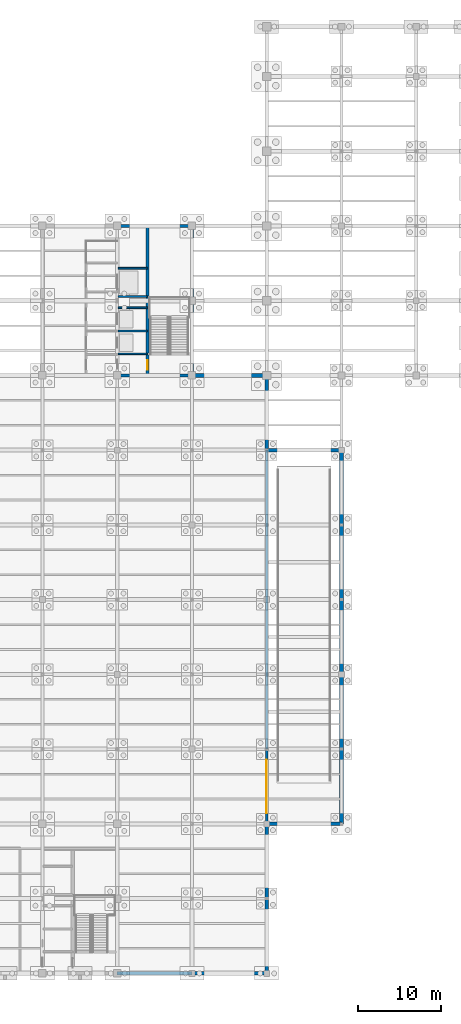
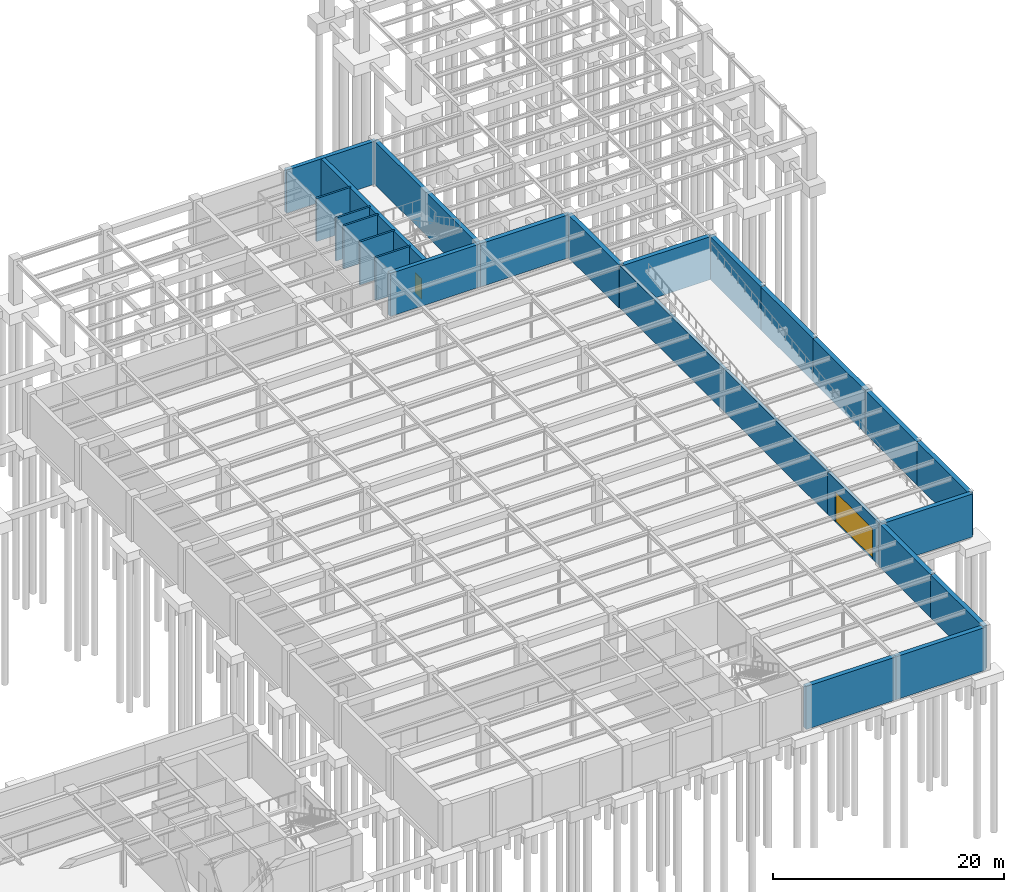
# One storey, part 45 of 49: 24 walls, 2 doors, 2 openings.
"""IFC4 building model written with IfcOpenShell, lengths in metres."""

from ifc_helpers import new_model, si_unit, direction, frame, frame_2d, origin, place, context, subcontext, project, spatial, rectangle, extrude, material, layer, layer_set, type_object, element, fill, save


model = new_model("IFC4")

# Units and contexts
model_context = context("Model", 3, precision=1e-05, world=origin(), true_north=direction((0.0, 1.0)))
body_context = subcontext(model_context, "Body", "Model", "MODEL_VIEW")
ifc_project = project(units=[si_unit("LENGTHUNIT", "METRE"), si_unit("AREAUNIT", "SQUARE_METRE"), si_unit("VOLUMEUNIT", "CUBIC_METRE"), si_unit("PLANEANGLEUNIT", "RADIAN"), si_unit("MASSUNIT", "GRAM", prefix="KILO")], contexts=[model_context])

# Site, building, storey
site_placement = place(None, origin())
site = spatial("IfcSite", under=ifc_project, at=site_placement, CompositionType="ELEMENT")
building_placement = place(site_placement, origin())
building = spatial("IfcBuilding", under=site, at=building_placement, Name="Lykobir Media Centre", CompositionType="ELEMENT")
storey_placement = place(building_placement, frame((0.0, 0.0, -4.800048828125)))
storey = spatial("IfcBuildingStorey", under=building, at=storey_placement, Name="B1", CompositionType="ELEMENT", Elevation=-4.800048828125)

# Walls
ifc_material_1 = material(Name="Concrete C35/45", Category="concrete")
ifc_layer_1 = layer(ifc_material_1, 0.449951171875, Name="Concrete C35/45")
ifc_layer_set_1 = layer_set([ifc_layer_1], Name="Concrete C35/45")
wall_type_1 = type_object("IfcWallType", Name="BW-RET-450", PredefinedType="USERDEFINED", material=ifc_layer_set_1)
for number, where, z_axis, x_axis, name in (
    (1, (153.0, 27.0, 0.0), (0.0, 0.0, 1.0), (0.0, 1.0, 0.0), "Basement retaining wall WALL-B1-0001"),
    (2, (153.0, 36.0, 0.0), (0.0, 0.0, 1.0), (0.0, 1.0, 0.0), "Basement retaining wall WALL-B1-0002"),
    (3, (153.0, 45.0, 0.0), (0.0, 0.0, 1.0), (0.0, 1.0, 0.0), "Basement retaining wall WALL-B1-0003"),
    (4, (153.0, 54.0, 0.0), (0.0, 0.0, 1.0), (0.0, 1.0, 0.0), "Basement retaining wall WALL-B1-0004"),
    (5, (153.0, 63.0, 0.0), (0.0, 0.0, 1.0), (-1.0, 0.0, 0.0), "Basement retaining wall WALL-B1-0005"),
    (6, (144.0, 63.0, 0.0), (0.0, 0.0, 1.0), (0.0, 1.0, 0.0), "Basement retaining wall WALL-B1-0006"),
    (7, (144.0, 72.0, 0.0), (0.0, 0.0, 1.0), (-1.0, 0.0, 0.0), "Basement retaining wall WALL-B1-0007"),
    (8, (126.0, 0.0, 0.0), (0.0, 0.0, 1.0), (1.0, 0.0, 0.0), "Basement retaining wall WALL-B1-0025"),
    (9, (135.0, 0.0, 0.0), (0.0, 0.0, 1.0), (1.0, 0.0, 0.0), "Basement retaining wall WALL-B1-0026"),
    (10, (144.0, 0.0, 0.0), (0.0, 0.0, 1.0), (0.0, 1.0, 0.0), "Basement retaining wall WALL-B1-0027"),
    (11, (144.0, 9.0, 0.0), (0.0, 0.0, 1.0), (0.0, 1.0, 0.0), "Basement retaining wall WALL-B1-0028"),
    (12, (144.0, 18.0, 0.0), (0.0, 0.0, 1.0), (1.0, 0.0, 0.0), "Basement retaining wall WALL-B1-0029"),
    (13, (153.0, 18.0, 0.0), (0.0, 0.0, 1.0), (0.0, 1.0, 0.0), "Basement retaining wall WALL-B1-0030"),
):
    element("IfcWall", number, at=place(storey_placement, frame(where, z_axis=z_axis, x_axis=x_axis)), inside=storey, type_object=wall_type_1, Name=name, ObjectType="RETAININGWALL", PredefinedType="USERDEFINED", context=body_context, shape_type="SweptSolid", body=[
        extrude(rectangle(XDim=9.0, YDim=0.449951171875, at=frame_2d((4.5, 0.0))), origin(), (0.0, 0.0, 1.0), 4.550048828125),
    ])
ifc_material_2 = material(Name="Concrete C30/37", Category="concrete")
ifc_layer_2 = layer(ifc_material_2, 0.199951171875, Name="Concrete C30/37")
ifc_layer_set_2 = layer_set([ifc_layer_2], Name="Concrete C30/37")
wall_type_2 = type_object("IfcWallType", Name="IW-SHAFT-200", PredefinedType="PARTITIONING", material=ifc_layer_set_2)
for number, where, z_axis, x_axis, name in (
    (14, (126.10009765625, 74.60009765625, 0.0), (0.0, 0.0, 1.0), (1.0, 0.0, 0.0), "Wall IWALL-B1-0460"),
    (15, (126.10009765625, 77.35009765625, 0.0), (0.0, 0.0, 1.0), (1.0, 0.0, 0.0), "Wall IWALL-B1-0461"),
    (16, (126.10009765625, 80.14990234375, 0.0), (0.0, 0.0, 1.0), (1.0, 0.0, 0.0), "Wall IWALL-B1-0462"),
    (17, (126.10009765625, 81.5, 0.0), (0.0, 0.0, 1.0), (1.0, 0.0, 0.0), "Wall IWALL-B1-0463"),
    (18, (126.10009765625, 84.89990234375, 0.0), (0.0, 0.0, 1.0), (1.0, 0.0, 0.0), "Wall IWALL-B1-0464"),
):
    element("IfcWall", number, at=place(storey_placement, frame(where, z_axis=z_axis, x_axis=x_axis)), inside=storey, type_object=wall_type_2, Name=name, PredefinedType="PARTITIONING", context=body_context, shape_type="SweptSolid", body=[
        extrude(rectangle(XDim=3.5, YDim=0.199951171875, at=frame_2d((1.75, 0.0))), origin(), (0.0, 0.0, 1.0), 4.550048828125),
    ])

# Wall, opening, door
ifc_material_3 = material(Name="Concrete C40/50", Category="concrete")
ifc_layer_3 = layer(ifc_material_3, 0.300048828125, Name="Concrete C40/50")
ifc_layer_set_3 = layer_set([ifc_layer_3], Name="Concrete C40/50")
wall_type_3 = type_object("IfcWallType", Name="SW-COMP-300", PredefinedType="SHEAR", material=ifc_layer_set_3)
wall_1_placement = place(storey_placement, frame((144.0, 18.0, 0.0), z_axis=(0.0, 0.0, 1.0), x_axis=(0.0, 1.0, 0.0)))
wall_1 = element("IfcWall", 19, at=wall_1_placement, inside=storey, type_object=wall_type_3, Name="Wall IWALL-B1-0800", PredefinedType="SHEAR", context=body_context, shape_type="SweptSolid", body=[
    extrude(rectangle(XDim=9.0, YDim=0.300048828125, at=frame_2d((4.5, 0.0))), origin(), (0.0, 0.0, 1.0), 4.5),
])
opening_1_placement = place(wall_1_placement, frame((1.25, 0.0, 0.0)))
opening_1 = element("IfcOpeningElement", 20, at=opening_1_placement, cuts=wall_1, Name="Opening D-B1-RMP1", PredefinedType="OPENING", context=body_context, shape_type="SweptSolid", body=[
    extrude(rectangle(XDim=6.5, YDim=3.199951171875, at=frame_2d((3.25, 1.60009765625))), frame((0.0, 0.159912109375, 0.0), z_axis=(0.0, -1.0, 0.0), x_axis=(1.0, 0.0, 0.0)), (0.0, 0.0, 1.0), 0.320068359375),
])
ifc_material_4 = material(Name="Anodized Aluminium AW-6060", Category="aluminium")
door_type_1 = type_object("IfcDoorType", Name="ED-6500x3200", OperationType="NOTDEFINED", PredefinedType="DOOR", material=ifc_material_4)
door_1_placement = place(opening_1_placement, origin())
door_1 = element("IfcDoor", 21, at=door_1_placement, inside=storey, type_object=door_type_1, Name="B1 car park ramp full-width fire shutter", OperationType="ROLLINGUP", OverallHeight=3.199951171875, OverallWidth=6.5, PredefinedType="DOOR", context=body_context, shape_type="SweptSolid", body=[
    extrude(rectangle(XDim=6.5, YDim=3.199951171875, at=frame_2d((3.25, 1.60009765625))), frame((0.0, 0.02490234375, 0.0), z_axis=(0.0, -1.0, 0.0), x_axis=(1.0, 0.0, 0.0)), (0.0, 0.0, 1.0), 0.050048828125),
])
fill(opening_1, door_1)

# Walls
wall_2_placement = place(storey_placement, frame((144.0, 27.0, 0.0), z_axis=(0.0, 0.0, 1.0), x_axis=(0.0, 1.0, 0.0)))
element("IfcWall", 22, at=wall_2_placement, inside=storey, type_object=wall_type_3, Name="Wall IWALL-B1-0801", PredefinedType="SHEAR", context=body_context, shape_type="SweptSolid", body=[
    extrude(rectangle(XDim=36.0, YDim=0.300048828125, at=frame_2d((18.0, 0.0))), origin(), (0.0, 0.0, 1.0), 4.5),
])
ifc_layer_4 = layer(ifc_material_3, 0.39990234375, Name="Concrete C40/50")
ifc_layer_set_4 = layer_set([ifc_layer_4], Name="Concrete C40/50")
wall_type_4 = type_object("IfcWallType", Name="SW-CORE-400", PredefinedType="SHEAR", material=ifc_layer_set_4)
wall_3_placement = place(storey_placement, frame((126.0, 72.0, 0.0), z_axis=(0.0, 0.0, 1.0), x_axis=(1.0, 0.0, 0.0)))
element("IfcWall", 23, at=wall_3_placement, inside=storey, type_object=wall_type_4, Name="Wall IWALL-B1-0455", PredefinedType="SHEAR", context=body_context, shape_type="SweptSolid", body=[
    extrude(rectangle(XDim=9.0, YDim=0.39990234375, at=frame_2d((4.5, 0.0))), origin(), (0.0, 0.0, 1.0), 4.550048828125),
])
wall_4_placement = place(storey_placement, frame((135.0, 72.0, 0.0), z_axis=(0.0, 0.0, 1.0), x_axis=(0.0, 1.0, 0.0)))
element("IfcWall", 24, at=wall_4_placement, inside=storey, type_object=wall_type_4, Name="Wall IWALL-B1-0456", PredefinedType="SHEAR", context=body_context, shape_type="SweptSolid", body=[
    extrude(rectangle(XDim=18.0, YDim=0.39990234375, at=frame_2d((9.0, 0.0))), origin(), (0.0, 0.0, 1.0), 4.550048828125),
])
wall_5_placement = place(storey_placement, frame((135.0, 90.0, 0.0), z_axis=(0.0, 0.0, 1.0), x_axis=(-1.0, 0.0, 0.0)))
element("IfcWall", 25, at=wall_5_placement, inside=storey, type_object=wall_type_4, Name="Wall IWALL-B1-0457", PredefinedType="SHEAR", context=body_context, shape_type="SweptSolid", body=[
    extrude(rectangle(XDim=9.0, YDim=0.39990234375, at=frame_2d((4.5, 0.0))), origin(), (0.0, 0.0, 1.0), 4.550048828125),
])

# Wall, opening, door
wall_6_placement = place(storey_placement, frame((129.64990234375, 72.0, 0.0), z_axis=(0.0, 0.0, 1.0), x_axis=(0.0, 1.0, 0.0)))
wall_6 = element("IfcWall", 26, at=wall_6_placement, inside=storey, type_object=wall_type_4, Name="Wall IWALL-B1-0459", PredefinedType="SHEAR", context=body_context, shape_type="SweptSolid", body=[
    extrude(rectangle(XDim=18.0, YDim=0.39990234375, at=frame_2d((9.0, 0.0))), origin(), (0.0, 0.0, 1.0), 4.550048828125),
])
opening_2_placement = place(wall_6_placement, frame((0.699951171875, 0.0, 0.0)))
opening_2 = element("IfcOpeningElement", 27, at=opening_2_placement, cuts=wall_6, Name="Opening D-B1-C4ST", PredefinedType="OPENING", context=body_context, shape_type="SweptSolid", body=[
    extrude(rectangle(XDim=1.10009765625, YDim=2.159912109375, at=frame_2d((0.550048828125, 1.080078125))), frame((0.0, 0.2099609375, 0.0), z_axis=(0.0, -1.0, 0.0), x_axis=(1.0, 0.0, 0.0)), (0.0, 0.0, 1.0), 0.419921875),
])
ifc_material_5 = material(Name="Acoustic Timber Panelling", Category="wood")
door_type_2 = type_object("IfcDoorType", Name="FD-1100x2160", OperationType="NOTDEFINED", PredefinedType="DOOR", material=ifc_material_5)
door_2_placement = place(opening_2_placement, origin())
door_2 = element("IfcDoor", 28, at=door_2_placement, inside=storey, type_object=door_type_2, Name="B1 ST-4 stairwell fire door", OperationType="SINGLE_SWING_LEFT", OverallHeight=2.159912109375, OverallWidth=1.10009765625, PredefinedType="DOOR", context=body_context, shape_type="SweptSolid", body=[
    extrude(rectangle(XDim=1.10009765625, YDim=2.159912109375, at=frame_2d((0.550048828125, 1.080078125))), frame((0.0, 0.02490234375, 0.0), z_axis=(0.0, -1.0, 0.0), x_axis=(1.0, 0.0, 0.0)), (0.0, 0.0, 1.0), 0.050048828125),
])
fill(opening_2, door_2)

save(model, "model.ifc")
